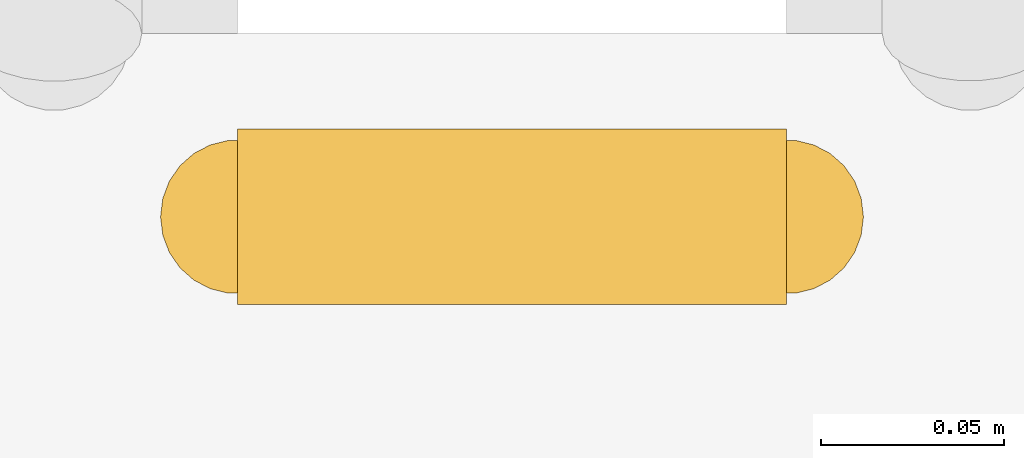
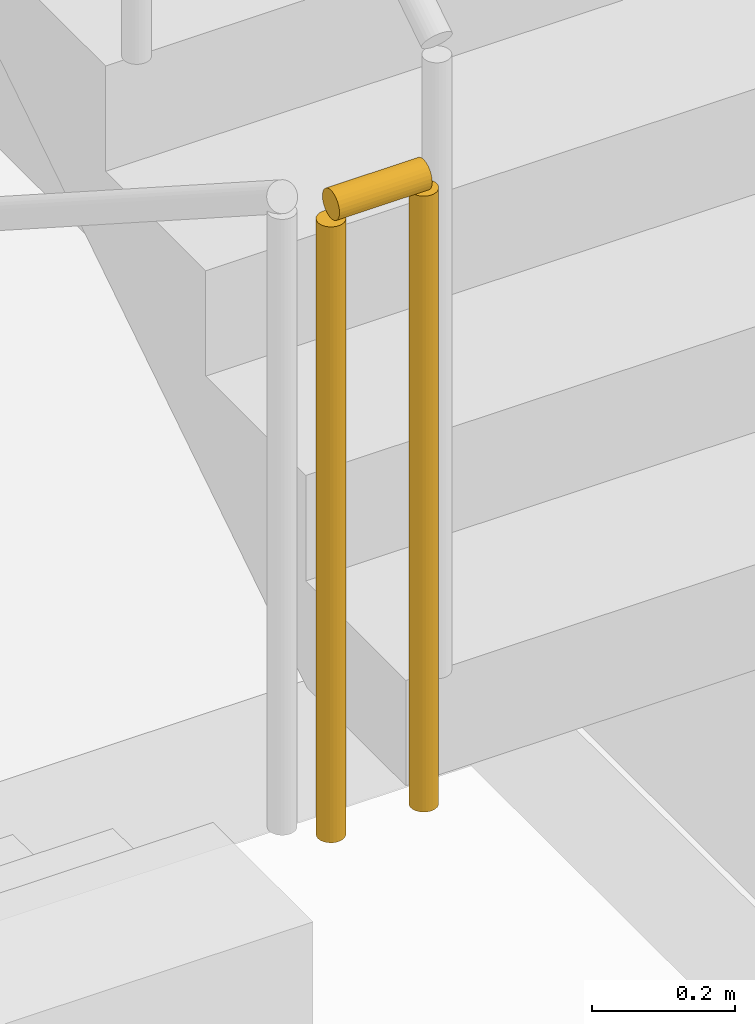
# One storey, part 8 of 12: 1 railing.
"""IFC4 building model written with IfcOpenShell, lengths in metres."""

from ifc_helpers import new_model, si_unit, direction, frame, origin, origin_2d, place, context, subcontext, project, spatial, circle, extrude, material, type_object, element, save


model = new_model("IFC4")

# Units and contexts
model_context = context("Model", 3, precision=1e-05, world=origin(), true_north=direction((0.0, 1.0)))
body_context = subcontext(model_context, "Body", "Model", "MODEL_VIEW")
ifc_project = project(units=[si_unit("LENGTHUNIT", "METRE"), si_unit("AREAUNIT", "SQUARE_METRE"), si_unit("VOLUMEUNIT", "CUBIC_METRE"), si_unit("PLANEANGLEUNIT", "RADIAN"), si_unit("MASSUNIT", "GRAM", prefix="KILO")], contexts=[model_context])

# Site, building, storey
site_placement = place(None, origin())
site = spatial("IfcSite", under=ifc_project, at=site_placement, CompositionType="ELEMENT")
building_placement = place(site_placement, origin())
building = spatial("IfcBuilding", under=site, at=building_placement, Name="Oramaril Tower", CompositionType="ELEMENT")
storey_placement = place(building_placement, frame((0.0, 0.0, 30.89990234375)))
storey = spatial("IfcBuildingStorey", under=building, at=storey_placement, Name="L07", CompositionType="ELEMENT", Elevation=30.89990234375)

# Railing
ifc_material = material(Name="Stainless Steel 316L", Category="steel")
railing_type = type_object("IfcRailingType", Name="RLT-GRD", PredefinedType="GUARDRAIL", material=ifc_material)
railing_placement = place(storey_placement, frame((31.510009765625, 15.02001953125, 1.800048828125)))
element("IfcRailing", 1, at=railing_placement, inside=storey, type_object=railing_type, Name="L07 ST-1 stair guard 2", PredefinedType="GUARDRAIL", context=body_context, shape_type="SweptSolid", body=[
    extrude(circle(Radius=0.02392578125, at=origin_2d()), frame((0.0, 0.0, 1.076171875), z_axis=(1.0, 0.0, 0.0), x_axis=(0.0, 1.0, 0.0)), (0.0, 0.0, 1.0), 0.14990234375),
    extrude(circle(Radius=0.02099609375, at=origin_2d()), origin(), (0.0, 0.0, 1.0), 1.052001953125),
    extrude(circle(Radius=0.02099609375, at=origin_2d()), frame((0.14990234375, 0.0, 0.0)), (0.0, 0.0, 1.0), 1.052001953125),
])

save(model, "model.ifc")
